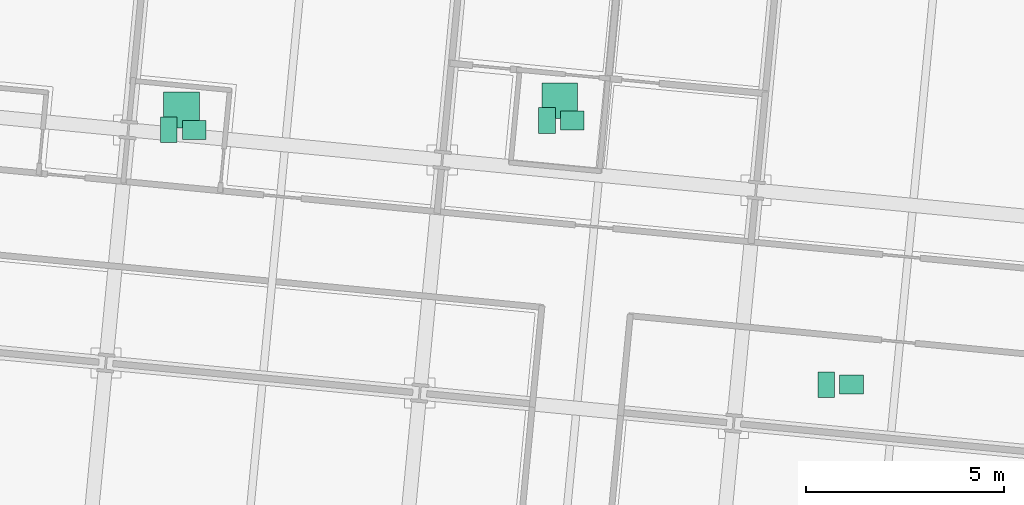
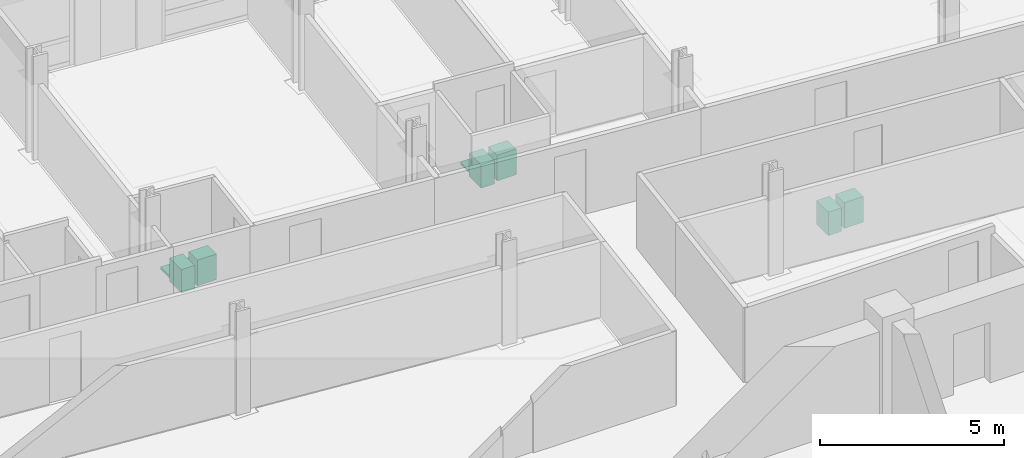
# One storey, part 17 of 17: 8 sanitary terminals.
"""IFC4 building model written with IfcOpenShell, lengths in metres."""

import ifcopenshell
import ifcopenshell.guid

model = None  # the IFC model being written
_history = None  # IfcOwnerHistory: only IFC2X3 demands one
_inside = {}  # id of a spatial element -> (the spatial element, [elements in it])
_under = {}  # id of a project, library or spatial element -> (it, [spatial elements below it])
_declared = {}  # id of a project -> (the project, [libraries it declares])
_typed = {}  # id of a type object -> (the type object, [elements of that type])
_made_of = {}  # id of a material, layer set ... -> (it, [elements and type objects made of it])


def new_model(schema):
    """Start an empty IFC model of exactly this schema.

    Asked for "IFC4X3", IfcOpenShell would pick the latest addendum, in which some entities
    have other attributes; the version numbers below select the first issue.
    IFC2X3 requires an IfcOwnerHistory on every rooted entity: one is made here for all.
    """
    global model, _history
    if schema == "IFC4X3":
        model = ifcopenshell.file(schema_version=(4, 3, 0, 0))
    else:
        model = ifcopenshell.file(schema=schema)
    _inside.clear()
    _under.clear()
    _declared.clear()
    _typed.clear()
    _made_of.clear()
    _history = None
    if model.schema == "IFC2X3":
        org = make("IfcOrganization", Name="unknown")
        user = make(
            "IfcPersonAndOrganization",
            ThePerson=make("IfcPerson", FamilyName="unknown"),
            TheOrganization=org,
        )
        app = make(
            "IfcApplication",
            ApplicationDeveloper=org,
            Version="unknown",
            ApplicationFullName="unknown",
            ApplicationIdentifier="unknown",
        )
        _history = make(
            "IfcOwnerHistory",
            OwningUser=user,
            OwningApplication=app,
            ChangeAction="ADDED",
            CreationDate=0,
        )
    return model


def make(cls, **values):
    """One entity of the class cls with the attributes given. An attribute that is None is left unset."""
    return model.create_entity(
        cls, **{name: value for name, value in values.items() if value is not None}
    )


def rooted(cls, **values):
    """An entity with a GlobalId (a new one), such as an element, a storey or a relation."""
    return make(cls, GlobalId=ifcopenshell.guid.new(), OwnerHistory=_history, **values)


def si_unit(unit_type, name, prefix=None):
    """IfcSIUnit, for example si_unit("LENGTHUNIT", "METRE", prefix="MILLI")."""
    return make("IfcSIUnit", UnitType=unit_type, Prefix=prefix, Name=name)


def assignment(units):
    """IfcUnitAssignment: the units of a project."""
    return None if units is None else make("IfcUnitAssignment", Units=units)


def point(xyz):
    """IfcCartesianPoint."""
    return None if xyz is None else make("IfcCartesianPoint", Coordinates=xyz)


def direction(xyz):
    """IfcDirection."""
    return None if xyz is None else make("IfcDirection", DirectionRatios=xyz)


def frame(location, z_axis=None, x_axis=None):
    """IfcAxis2Placement3D, a coordinate frame: its origin and axes. An axis left out is left unset."""
    return make(
        "IfcAxis2Placement3D",
        Location=point(location),
        Axis=direction(z_axis),
        RefDirection=direction(x_axis),
    )


def frame_2d(location, x_axis=None):
    """IfcAxis2Placement2D, a coordinate frame in the plane: its origin and x axis."""
    return make(
        "IfcAxis2Placement2D", Location=point(location), RefDirection=direction(x_axis)
    )


def origin():
    """The frame at (0, 0, 0) with its axes left unset."""
    return frame((0.0, 0.0, 0.0))


def origin_2d():
    """The frame at (0, 0) in the plane with its x axis left unset."""
    return frame_2d((0.0, 0.0))


def place(relative_to, where):
    """IfcLocalPlacement: puts the frame where relative to a parent placement (None: the world)."""
    return make(
        "IfcLocalPlacement", PlacementRelTo=relative_to, RelativePlacement=where
    )


def context(
    kind, dimensions, precision=None, world=None, true_north=None, identifier=None
):
    """IfcGeometricRepresentationContext, for example the 3D "Model" context."""
    return make(
        "IfcGeometricRepresentationContext",
        ContextIdentifier=identifier,
        ContextType=kind,
        CoordinateSpaceDimension=dimensions,
        Precision=precision,
        WorldCoordinateSystem=world,
        TrueNorth=true_north,
    )


def subcontext(parent, identifier, kind, view, scale=None):
    """IfcGeometricRepresentationSubContext, for example "Body" below "Model"."""
    return make(
        "IfcGeometricRepresentationSubContext",
        ContextIdentifier=identifier,
        ContextType=kind,
        ParentContext=parent,
        TargetScale=scale,
        TargetView=view,
    )


def project(units=None, contexts=None):
    """IfcProject with its units and contexts."""
    return rooted(
        "IfcProject",
        Name="project",
        RepresentationContexts=contexts,
        UnitsInContext=assignment(units),
    )


def spatial(cls, under=None, at=None, **own):
    """A site, building, storey or space (cls), placed at a placement, below another one or the project."""
    s = rooted(cls, ObjectPlacement=at, **own)
    if under is not None:
        _under.setdefault(under.id(), (under, []))[1].append(s)
    return s


def profile(cls, at=None, kind="AREA", **sizes):
    """A parametric profile (cls). Its sizes go by their IFC names, for example OverallWidth=200.0."""
    return make(cls, ProfileType=kind, Position=at, **sizes)


def rectangle(**sizes):
    """IfcRectangleProfileDef."""
    return profile("IfcRectangleProfileDef", **sizes)


def extrude(swept, where, along, depth):
    """IfcExtrudedAreaSolid: the profile swept, set in the frame where, extruded along a direction by depth."""
    return make(
        "IfcExtrudedAreaSolid",
        SweptArea=swept,
        Position=where,
        ExtrudedDirection=direction(along),
        Depth=depth,
    )


def shape(context_of_items, identifier, shape_type, items):
    """IfcShapeRepresentation: the items that make up one representation, for example the "Body"."""
    return make(
        "IfcShapeRepresentation",
        ContextOfItems=context_of_items,
        RepresentationIdentifier=identifier,
        RepresentationType=shape_type,
        Items=items,
    )


def material(Name=None, Category=None):
    """IfcMaterial."""
    return make("IfcMaterial", Name=Name, Category=Category)


def made_of(thing, what):
    """Note that an element or type object is made of a material, layer set ...; save() writes the relation."""
    if what is not None:
        _made_of.setdefault(what.id(), (what, []))[1].append(thing)
    return thing


def type_object(cls, material=None, **own):
    """A type object (cls), such as IfcWallType, which elements share."""
    return made_of(rooted(cls, **own), material)


def element(
    cls,
    number,
    at=None,
    inside=None,
    cuts=None,
    type_object=None,
    material=None,
    context=None,
    identifier="Body",
    shape_type=None,
    held_by="IfcProductDefinitionShape",
    body=None,
    shapes=None,
    **own,
):
    """One element of the class cls, such as IfcWall. Its Tag is "e" and its number.

    at: its placement. inside: the storey or other place that contains it. cuts: it is an
    opening in that element (IfcRelVoidsElement). A single representation is given by context,
    identifier, shape_type and body (its items); several are given by shapes. held_by: the class
    of the entity that holds the representations. save() writes the other relations.
    """
    e = rooted(cls, Tag="e%d" % number, ObjectPlacement=at, **own)
    if body is not None:
        shapes = [shape(context, identifier, shape_type, body)]
    if shapes is not None:
        e.Representation = make(held_by, Representations=shapes)
    if inside is not None:
        _inside.setdefault(inside.id(), (inside, []))[1].append(e)
    if cuts is not None:
        rooted(
            "IfcRelVoidsElement", RelatingBuildingElement=cuts, RelatedOpeningElement=e
        )
    if type_object is not None:
        _typed.setdefault(type_object.id(), (type_object, []))[1].append(e)
    return made_of(e, material)


def aggregate(whole, parts):
    """IfcRelAggregates: a whole, such as a stair, and the parts it consists of."""
    return rooted("IfcRelAggregates", RelatingObject=whole, RelatedObjects=parts)


def save(model, path):
    """Write the relations noted so far, then the file.

    IfcRelAggregates (storeys below a building ...), IfcRelContainedInSpatialStructure (elements
    in a storey), IfcRelDefinesByType, IfcRelAssociatesMaterial and IfcRelDeclares: one each for
    every whole, place, type object, material and project.
    """
    for whole, parts in _under.values():
        aggregate(whole, parts)
    for where, things in _inside.values():
        rooted(
            "IfcRelContainedInSpatialStructure",
            RelatedElements=things,
            RelatingStructure=where,
        )
    for kind, things in _typed.values():
        rooted("IfcRelDefinesByType", RelatedObjects=things, RelatingType=kind)
    for what, things in _made_of.values():
        rooted("IfcRelAssociatesMaterial", RelatedObjects=things, RelatingMaterial=what)
    for by, libraries in _declared.values():
        rooted("IfcRelDeclares", RelatingContext=by, RelatedDefinitions=libraries)
    model.write(path)


model = new_model("IFC4")

# Units and contexts
model_context = context("Model", 3, precision=1e-05, world=origin(), true_north=direction((0.0, 1.0)))
body_context = subcontext(model_context, "Body", "Model", "MODEL_VIEW")
ifc_project = project(units=[si_unit("LENGTHUNIT", "METRE"), si_unit("AREAUNIT", "SQUARE_METRE"), si_unit("VOLUMEUNIT", "CUBIC_METRE"), si_unit("PLANEANGLEUNIT", "RADIAN"), si_unit("MASSUNIT", "GRAM", prefix="KILO")], contexts=[model_context])

# Site, building, storey
site_placement = place(None, origin())
site = spatial("IfcSite", under=ifc_project, at=site_placement, CompositionType="ELEMENT")
building_placement = place(site_placement, origin())
building = spatial("IfcBuilding", under=site, at=building_placement, Name="Solmavex Isthmus Hotel", CompositionType="ELEMENT")
storey_placement = place(building_placement, frame((0.0, 0.0, 149.699951171875)))
storey = spatial("IfcBuildingStorey", under=building, at=storey_placement, Name="L40", CompositionType="ELEMENT", Elevation=149.699951171875)

# Sanitary terminals
ifc_material = material(Name="Vitreous china ceramic", Category="ceramic")
sanitary_terminal_type_1 = type_object("IfcSanitaryTerminalType", Name="SAN-BASIN", PredefinedType="WASHHANDBASIN", material=ifc_material)
for number, where, z_axis, x_axis, name in (
    (1, (-5.688720703125, 12.1337890625, 0.0), (0.0, 0.0, 1.0), (1.0, 0.0, 0.0), "Vanity Washbasin L40-194"),
    (2, (3.849609375, 12.36669921875, 0.0), (0.0, 0.0, 1.0), (1.0, 0.0, 0.0), "Vanity Washbasin L40-195"),
    (3, (10.895263671875, 5.702880859375, 0.0), (0.0, 0.0, 1.0), (1.0, 0.0, 0.0), "Vanity Washbasin L40-196"),
):
    element("IfcSanitaryTerminal", number, at=place(storey_placement, frame(where, z_axis=z_axis, x_axis=x_axis)), inside=storey, type_object=sanitary_terminal_type_1, Name=name, PredefinedType="WASHHANDBASIN", context=body_context, shape_type="SweptSolid", body=[
        extrude(rectangle(XDim=0.60009765625, YDim=0.47998046875, at=origin_2d()), origin(), (0.0, 0.0, 1.0), 0.85009765625),
    ])
sanitary_terminal_type_2 = type_object("IfcSanitaryTerminalType", Name="SAN-SHOWER", PredefinedType="SHOWER", material=ifc_material)
for number, where, z_axis, x_axis, name in (
    (4, (-6.0087890625, 12.6337890625, 0.0), (0.0, 0.0, 1.0), (1.0, 0.0, 0.0), "Walk-In Shower L40-194"),
    (5, (3.529541015625, 12.86669921875, 0.0), (0.0, 0.0, 1.0), (1.0, 0.0, 0.0), "Walk-In Shower L40-195"),
):
    element("IfcSanitaryTerminal", number, at=place(storey_placement, frame(where, z_axis=z_axis, x_axis=x_axis)), inside=storey, type_object=sanitary_terminal_type_2, Name=name, PredefinedType="SHOWER", context=body_context, shape_type="SweptSolid", body=[
        extrude(rectangle(XDim=0.89990234375, YDim=0.89990234375, at=origin_2d()), origin(), (0.0, 0.0, 1.0), 0.080078125),
    ])
sanitary_terminal_type_3 = type_object("IfcSanitaryTerminalType", Name="SAN-WC-SUITE", PredefinedType="TOILETPAN", material=ifc_material)
for number, where, z_axis, x_axis, name in (
    (6, (-6.328857421875, 12.1337890625, 0.0), (0.0, 0.0, 1.0), (1.0, 0.0, 0.0), "Water Closet L40-194"),
    (7, (3.209716796875, 12.36669921875, 0.0), (0.0, 0.0, 1.0), (1.0, 0.0, 0.0), "Water Closet L40-195"),
    (8, (10.25537109375, 5.702880859375, 0.0), (0.0, 0.0, 1.0), (1.0, 0.0, 0.0), "Water Closet L40-196"),
):
    element("IfcSanitaryTerminal", number, at=place(storey_placement, frame(where, z_axis=z_axis, x_axis=x_axis)), inside=storey, type_object=sanitary_terminal_type_3, Name=name, PredefinedType="TOILETPAN", context=body_context, shape_type="SweptSolid", body=[
        extrude(rectangle(XDim=0.419921875, YDim=0.64990234375, at=origin_2d()), origin(), (0.0, 0.0, 1.0), 0.780029296875),
    ])

save(model, "model.ifc")
